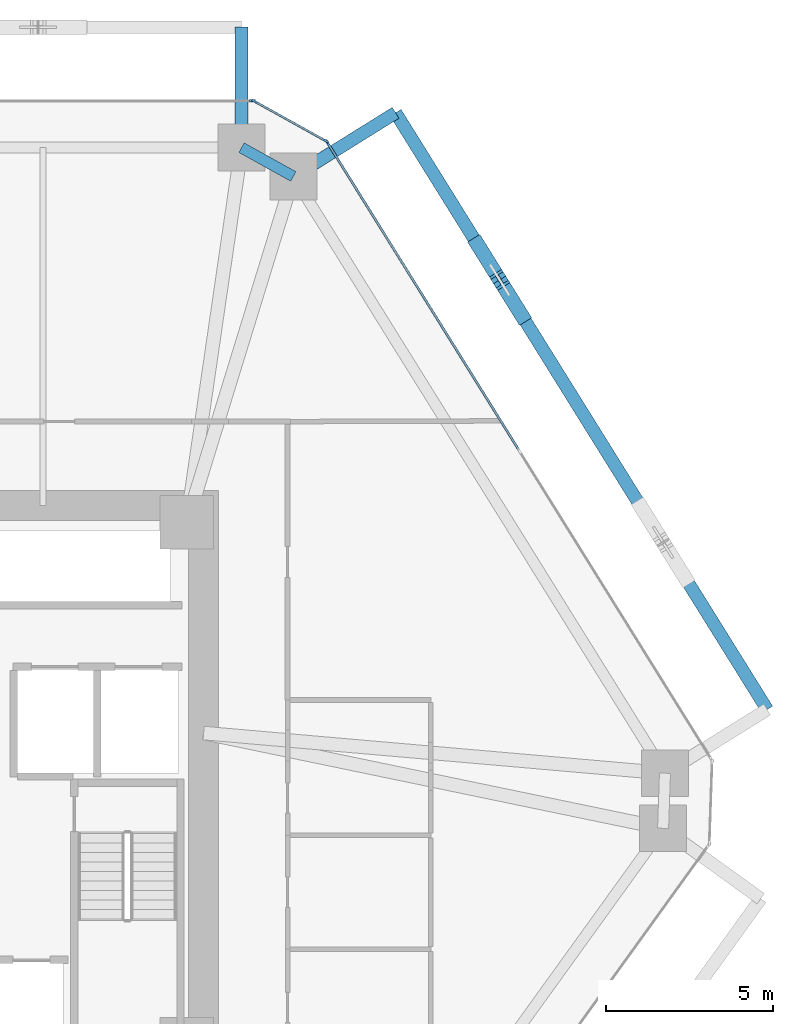
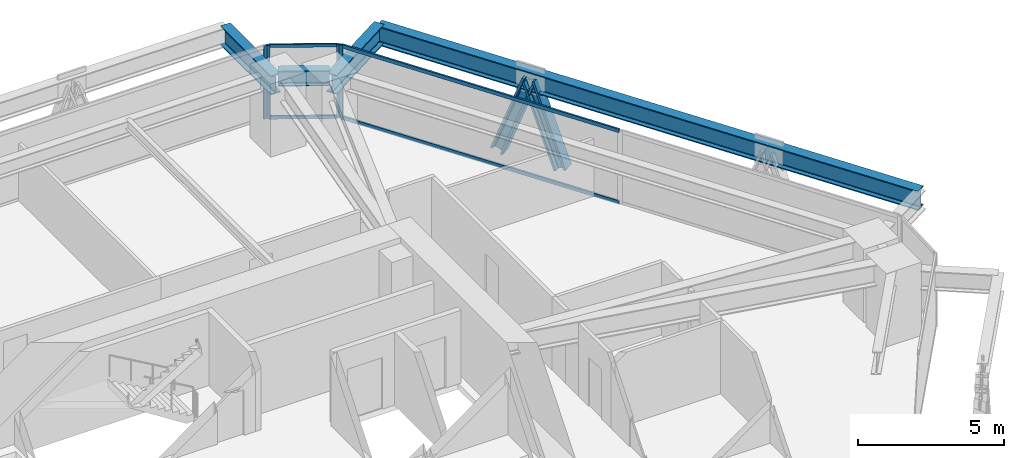
# One storey, part 9 of 17: 10 members, 4 beams, 3 elements without a shape of their own.
"""IFC4 building model written with IfcOpenShell, lengths in metres."""

from ifc_helpers import new_model, si_unit, direction, frame, origin, origin_2d, place, context, subcontext, project, spatial, rectangle, i_section, extrude, source, transform, mapped, material, layer, layer_set, material_profile, profile_set, type_object, type_shapes, element, aggregate, save


model = new_model("IFC4")

# Units and contexts
model_context = context("Model", 3, precision=1e-05, world=origin(), true_north=direction((0.0, 1.0)))
body_context = subcontext(model_context, "Body", "Model", "MODEL_VIEW")
ifc_project = project(units=[si_unit("LENGTHUNIT", "METRE"), si_unit("AREAUNIT", "SQUARE_METRE"), si_unit("VOLUMEUNIT", "CUBIC_METRE"), si_unit("PLANEANGLEUNIT", "RADIAN"), si_unit("MASSUNIT", "GRAM", prefix="KILO")], contexts=[model_context])

# Site, building, storey
site_placement = place(None, origin())
site = spatial("IfcSite", under=ifc_project, at=site_placement, CompositionType="ELEMENT")
building_placement = place(site_placement, origin())
building = spatial("IfcBuilding", under=site, at=building_placement, Name="Durnholm Broadcast Tower", CompositionType="ELEMENT")
storey_placement = place(building_placement, frame((0.0, 0.0, 52.199951171875)))
storey = spatial("IfcBuildingStorey", under=building, at=storey_placement, Name="L12", CompositionType="ELEMENT", Elevation=52.199951171875)

# Beams
ifc_material_1 = material(Name="Steel ASTM A992 Grade 50", Category="steel")
ifc_material_profile_1 = material_profile(ifc_material_1, i_section(OverallWidth=0.3291015625, OverallDepth=0.635009765625, WebThickness=0.017822265625, FlangeThickness=0.031005859375, FilletRadius=0.02783203125, at=origin_2d()), Name="W24X162")
ifc_profile_set_1 = profile_set([ifc_material_profile_1], Name="Steel ASTM A992 Grade 50")
beam_type_1 = type_object("IfcBeamType", Name="STL-SP-W24X162", PredefinedType="SPANDREL", material=ifc_profile_set_1)
shared_shape_1 = source(origin(), body_context, "Body", "SweptSolid", [
    extrude(i_section(OverallWidth=0.3291015625, OverallDepth=0.635009765625, WebThickness=0.017822265625, FlangeThickness=0.031005859375, FilletRadius=0.02783203125, at=origin_2d()), origin(), (0.0, 0.0, 1.0), 1.774658203125),
])
type_shapes(beam_type_1, [shared_shape_1])
beam_1_placement = place(storey_placement, frame((11.43115234375, 19.0, 2.7275390625), z_axis=(0.874248107979, -0.485479397806, 0.0), x_axis=(0.485479397806, 0.874248107979, 0.0)))
element("IfcBeam", 1, at=beam_1_placement, inside=storey, type_object=beam_type_1, Name="L12 perimeter spandrel girder 06", PredefinedType="SPANDREL", context=body_context, shape_type="MappedRepresentation", body=[
    mapped(shared_shape_1, transform((0.0, 0.0, 0.0), x_axis=(1.0, 0.0, 0.0), y_axis=(0.0, 1.0, 0.0), z_axis=(0.0, 0.0, 1.0), scale=1.0)),
])
ifc_material_profile_2 = material_profile(ifc_material_1, i_section(OverallWidth=0.385009765625, OverallDepth=0.802978515625, WebThickness=0.023681640625, FlangeThickness=0.0419921875, FilletRadius=0.032958984375, at=origin_2d()), Name="W30X261")
ifc_profile_set_2 = profile_set([ifc_material_profile_2], Name="Steel ASTM A992 Grade 50")
beam_type_2 = type_object("IfcBeamType", Name="BM-EXO-TIE", PredefinedType="USERDEFINED", material=ifc_profile_set_2)
shared_shape_2 = source(origin(), body_context, "Body", "SweptSolid", [
    extrude(i_section(OverallWidth=0.385009765625, OverallDepth=0.802978515625, WebThickness=0.023681640625, FlangeThickness=0.0419921875, FilletRadius=0.032958984375, at=origin_2d()), origin(), (0.0, 0.0, 1.0), 3.4560546875),
])
for number, where, z_axis, x_axis, name in (
    (2, (13.10498046875, 18.214599609375, 2.30859375), (0.848854443891, 0.528626648105, 0.0), (-0.528626648105, 0.848854443891, 0.0), "L12 exoskeleton stand-off tie bracket F3.2"),
    (3, (11.43115234375, 19.14404296875, 2.30859375), (0.0, 1.0, 0.0), (-1.0, 0.0, 0.0), "L12 exoskeleton stand-off tie bracket F4.1"),
):
    element("IfcBeam", number, at=place(storey_placement, frame(where, z_axis=z_axis, x_axis=x_axis)), inside=storey, type_object=beam_type_2, Name=name, ObjectType="GIRDER", PredefinedType="USERDEFINED", context=body_context, shape_type="MappedRepresentation", body=[
        mapped(shared_shape_2, transform((0.0, 0.0, 0.0), x_axis=(1.0, 0.0, 0.0), y_axis=(0.0, 1.0, 0.0), z_axis=(0.0, 0.0, 1.0), scale=1.0)),
    ])
shared_shape_3 = source(origin(), body_context, "Body", "SweptSolid", [
    extrude(i_section(OverallWidth=0.385009765625, OverallDepth=0.802978515625, WebThickness=0.023681640625, FlangeThickness=0.0419921875, FilletRadius=0.032958984375, at=origin_2d()), origin(), (0.0, 0.0, 1.0), 21.0146484375),
])
type_shapes(beam_type_2, [shared_shape_2, shared_shape_3])
beam_2_placement = place(storey_placement, frame((27.146728515625, 2.20263671875, 2.30859375), z_axis=(-0.528590518575, 0.848876942597, 0.0), x_axis=(-0.848876942597, -0.528590518575, 0.0)))
element("IfcBeam", 4, at=beam_2_placement, inside=storey, type_object=beam_type_2, Name="L12 exoskeleton collector spandrel F3", PredefinedType="SPANDREL", context=body_context, shape_type="MappedRepresentation", body=[
    mapped(shared_shape_3, transform((0.0, 0.0, 0.0), x_axis=(1.0, 0.0, 0.0), y_axis=(0.0, 1.0, 0.0), z_axis=(0.0, 0.0, 1.0), scale=1.0)),
])

# Members
ifc_material_2 = material(Name="Steel ASTM A913 Grade 65", Category="steel")
ifc_material_profile_3 = material_profile(ifc_material_2, i_section(OverallWidth=0.43212890625, OverallDepth=0.497802734375, WebThickness=0.0556640625, FlangeThickness=0.0888671875, FilletRadius=0.030517578125, at=origin_2d()), Name="W14X500")
ifc_profile_set_3 = profile_set([ifc_material_profile_3], Name="Steel ASTM A913 Grade 65")
member_type_1 = type_object("IfcMemberType", Name="STL-DG-W14X500", PredefinedType="BRACE", material=ifc_profile_set_3)
shared_shape_4 = source(origin(), body_context, "Body", "SweptSolid", [
    extrude(i_section(OverallWidth=0.43212890625, OverallDepth=0.497802734375, WebThickness=0.0556640625, FlangeThickness=0.0888671875, FilletRadius=0.030517578125, at=origin_2d()), origin(), (0.0, 0.0, 1.0), 3.523193359375),
])
type_shapes(member_type_1, [shared_shape_4])
for number, where, z_axis, x_axis, name in (
    (5, (19.801025390625, 13.9990234375, -0.991455078125), (-0.185090383068, 0.297281072018, 0.936677913861), (-0.848908635391, -0.528539618911, 0.0), "L12 stand-off diagrid brace F3.D2.1"),
    (6, (18.496826171875, 16.09375, -0.991455078125), (0.185090383068, -0.297281072018, 0.936677913861), (0.848908635391, 0.528539618911, 0.0), "L12 stand-off diagrid brace F3.D2.2"),
):
    element("IfcMember", number, at=place(storey_placement, frame(where, z_axis=z_axis, x_axis=x_axis)), inside=storey, type_object=member_type_1, Name=name, PredefinedType="BRACE", context=body_context, shape_type="MappedRepresentation", body=[
        mapped(shared_shape_4, transform((0.0, 0.0, 0.0), x_axis=(1.0, 0.0, 0.0), y_axis=(0.0, 1.0, 0.0), z_axis=(0.0, 0.0, 1.0), scale=1.0)),
    ])

# Curtain wall, members
ifc_material_3 = material(Name="Aluminium and Solar Control IGU", Category="aluminium")
ifc_layer_1 = layer(ifc_material_3, 0.1650390625)
ifc_layer_set_1 = layer_set([ifc_layer_1], Name="Aluminium and Solar Control IGU")
curtain_wall_type_1 = type_object("IfcCurtainWallType", Name="CW-SYS-5", PredefinedType="NOTDEFINED", material=ifc_layer_set_1)
curtain_wall_1_placement = place(storey_placement, origin())
curtain_wall_1 = element("IfcCurtainWall", 7, at=curtain_wall_1_placement, inside=storey, type_object=curtain_wall_type_1, Name="L12 curtain wall CW-CORNER CW-L12-CRN-05", PredefinedType="NOTDEFINED")
ifc_material_4 = material(Name="Aluminium 6063-T6", Category="aluminium")
ifc_material_profile_4 = material_profile(ifc_material_4, rectangle(XDim=0.06494140625, YDim=0.1650390625, at=origin_2d()), Name="CWM65X165")
ifc_profile_set_4 = profile_set([ifc_material_profile_4], Name="Aluminium 6063-T6")
member_type_2 = type_object("IfcMemberType", Name="CW-SYS-5-MUL", PredefinedType="MULLION", material=ifc_profile_set_4)
shared_shape_5 = source(origin(), body_context, "Body", "SweptSolid", [
    extrude(rectangle(XDim=0.06494140625, YDim=0.1650390625, at=origin_2d()), origin(), (0.0, 0.0, 1.0), 3.06005859375),
])
type_shapes(member_type_2, [shared_shape_5])
member_1_placement = place(storey_placement, frame((11.822265625, 20.38427734375, 0.0), z_axis=(0.0, 0.0, 1.0), x_axis=(0.485483299359, 0.874245941394, 0.0)))
member_1 = element("IfcMember", 8, at=member_1_placement, type_object=member_type_2, Name="CW-CORNER mullion 1", PredefinedType="MULLION", context=body_context, shape_type="MappedRepresentation", body=[
    mapped(shared_shape_5, transform((0.0, 0.0, 0.0), x_axis=(1.0, 0.0, 0.0), y_axis=(0.0, 1.0, 0.0), z_axis=(0.0, 0.0, 1.0), scale=1.0)),
])
member_2_placement = place(storey_placement, frame((13.950927734375, 19.2021484375, 0.0), z_axis=(0.0, 0.0, 1.0), x_axis=(0.485483299359, 0.874245941394, 0.0)))
member_2 = element("IfcMember", 9, at=member_2_placement, type_object=member_type_2, Name="CW-CORNER mullion 2", PredefinedType="MULLION", context=body_context, shape_type="MappedRepresentation", body=[
    mapped(shared_shape_5, transform((0.0, 0.0, 0.0), x_axis=(1.0, 0.0, 0.0), y_axis=(0.0, 1.0, 0.0), z_axis=(0.0, 0.0, 1.0), scale=1.0)),
])
ifc_material_profile_5 = material_profile(ifc_material_4, rectangle(XDim=0.06494140625, YDim=0.1298828125, at=origin_2d()), Name="CWT65X130")
ifc_profile_set_5 = profile_set([ifc_material_profile_5], Name="Aluminium 6063-T6")
member_type_3 = type_object("IfcMemberType", Name="CW-SYS-5-TRN", PredefinedType="USERDEFINED", material=ifc_profile_set_5)
shared_shape_6 = source(origin(), body_context, "Body", "SweptSolid", [
    extrude(rectangle(XDim=0.06494140625, YDim=0.1298828125, at=origin_2d()), origin(), (0.0, 0.0, 1.0), 2.3701171875),
])
type_shapes(member_type_3, [shared_shape_6])
member_3_placement = place(storey_placement, frame((11.8505859375, 20.368408203125, 0.032470703125), z_axis=(0.874244723151, -0.485485493132, 0.0), x_axis=(0.485485493132, 0.874244723151, 0.0)))
member_3 = element("IfcMember", 10, at=member_3_placement, type_object=member_type_3, Name="CW-CORNER transom 1.1", ObjectType="TRANSOM", PredefinedType="USERDEFINED", context=body_context, shape_type="MappedRepresentation", body=[
    mapped(shared_shape_6, transform((0.0, 0.0, 0.0), x_axis=(1.0, 0.0, 0.0), y_axis=(0.0, 1.0, 0.0), z_axis=(0.0, 0.0, 1.0), scale=1.0)),
])
member_4_placement = place(storey_placement, frame((11.8505859375, 20.368408203125, 3.027587890625), z_axis=(0.874244723151, -0.485485493132, 0.0), x_axis=(0.485485493132, 0.874244723151, 0.0)))
member_4 = element("IfcMember", 11, at=member_4_placement, type_object=member_type_3, Name="CW-CORNER transom 1.2", ObjectType="TRANSOM", PredefinedType="USERDEFINED", context=body_context, shape_type="MappedRepresentation", body=[
    mapped(shared_shape_6, transform((0.0, 0.0, 0.0), x_axis=(1.0, 0.0, 0.0), y_axis=(0.0, 1.0, 0.0), z_axis=(0.0, 0.0, 1.0), scale=1.0)),
])
aggregate(curtain_wall_1, [member_1, member_2, member_3, member_4])

# Curtain wall, member
ifc_layer_2 = layer(ifc_material_3, 0.18994140625)
ifc_layer_set_2 = layer_set([ifc_layer_2], Name="Aluminium and Solar Control IGU")
curtain_wall_type_2 = type_object("IfcCurtainWallType", Name="CW-SYS-3", PredefinedType="NOTDEFINED", material=ifc_layer_set_2)
curtain_wall_2_placement = place(storey_placement, origin())
curtain_wall_2 = element("IfcCurtainWall", 12, at=curtain_wall_2_placement, inside=storey, type_object=curtain_wall_type_2, Name="L12 curtain wall CW-Z12-VIS CW-L12-F04", PredefinedType="NOTDEFINED")
ifc_material_profile_6 = material_profile(ifc_material_4, rectangle(XDim=0.070068359375, YDim=0.18994140625, at=origin_2d()), Name="CWM70X190")
ifc_profile_set_6 = profile_set([ifc_material_profile_6], Name="Aluminium 6063-T6")
member_type_4 = type_object("IfcMemberType", Name="CW-SYS-3-MUL", PredefinedType="MULLION", material=ifc_profile_set_6)
shared_shape_7 = source(origin(), body_context, "Body", "SweptSolid", [
    extrude(rectangle(XDim=0.070068359375, YDim=0.18994140625, at=origin_2d()), origin(), (0.0, 0.0, 1.0), 3.06005859375),
])
type_shapes(member_type_4, [shared_shape_7])
member_5_placement = place(storey_placement, frame((11.7587890625, 20.39990234375, 0.0), z_axis=(0.0, 0.0, 1.0), x_axis=(0.0, 1.0, 0.0)))
member_5 = element("IfcMember", 13, at=member_5_placement, type_object=member_type_4, Name="CW-Z12-VIS mullion 3", PredefinedType="MULLION", context=body_context, shape_type="MappedRepresentation", body=[
    mapped(shared_shape_7, transform((0.0, 0.0, 0.0), x_axis=(1.0, 0.0, 0.0), y_axis=(0.0, 1.0, 0.0), z_axis=(0.0, 0.0, 1.0), scale=1.0)),
])
aggregate(curtain_wall_2, [member_5])

# Curtain wall, members
curtain_wall_3_placement = place(storey_placement, origin())
curtain_wall_3 = element("IfcCurtainWall", 14, at=curtain_wall_3_placement, inside=storey, type_object=curtain_wall_type_2, Name="L12 curtain wall CW-Z12-VIS CW-L12-F06", PredefinedType="NOTDEFINED")
member_6_placement = place(storey_placement, frame((13.997802734375, 19.156494140625, 0.0), z_axis=(0.0, 0.0, 1.0), x_axis=(0.848875785503, 0.528592376777, 0.0)))
member_6 = element("IfcMember", 15, at=member_6_placement, type_object=member_type_4, Name="CW-Z12-VIS mullion 1", PredefinedType="MULLION", context=body_context, shape_type="MappedRepresentation", body=[
    mapped(shared_shape_7, transform((0.0, 0.0, 0.0), x_axis=(1.0, 0.0, 0.0), y_axis=(0.0, 1.0, 0.0), z_axis=(0.0, 0.0, 1.0), scale=1.0)),
])
ifc_material_profile_7 = material_profile(ifc_material_4, rectangle(XDim=0.070068359375, YDim=0.14990234375, at=origin_2d()), Name="CWT70X150")
ifc_profile_set_7 = profile_set([ifc_material_profile_7], Name="Aluminium 6063-T6")
member_type_5 = type_object("IfcMemberType", Name="CW-SYS-3-TRN", PredefinedType="USERDEFINED", material=ifc_profile_set_7)
shared_shape_8 = source(origin(), body_context, "Body", "SweptSolid", [
    extrude(rectangle(XDim=0.070068359375, YDim=0.14990234375, at=origin_2d()), origin(), (0.0, 0.0, 1.0), 10.796630859375),
])
type_shapes(member_type_5, [shared_shape_8])
member_7_placement = place(storey_placement, frame((14.016357421875, 19.126953125, 0.03515625), z_axis=(0.528591657678, -0.848876233283, 0.0), x_axis=(0.848876233283, 0.528591657678, 0.0)))
member_7 = element("IfcMember", 16, at=member_7_placement, type_object=member_type_5, Name="CW-Z12-VIS transom 1.1", ObjectType="TRANSOM", PredefinedType="USERDEFINED", context=body_context, shape_type="MappedRepresentation", body=[
    mapped(shared_shape_8, transform((0.0, 0.0, 0.0), x_axis=(1.0, 0.0, 0.0), y_axis=(0.0, 1.0, 0.0), z_axis=(0.0, 0.0, 1.0), scale=1.0)),
])
member_8_placement = place(storey_placement, frame((14.016357421875, 19.126953125, 3.025146484375), z_axis=(0.528591657678, -0.848876233283, 0.0), x_axis=(0.848876233283, 0.528591657678, 0.0)))
member_8 = element("IfcMember", 17, at=member_8_placement, type_object=member_type_5, Name="CW-Z12-VIS transom 1.2", ObjectType="TRANSOM", PredefinedType="USERDEFINED", context=body_context, shape_type="MappedRepresentation", body=[
    mapped(shared_shape_8, transform((0.0, 0.0, 0.0), x_axis=(1.0, 0.0, 0.0), y_axis=(0.0, 1.0, 0.0), z_axis=(0.0, 0.0, 1.0), scale=1.0)),
])
aggregate(curtain_wall_3, [member_6, member_7, member_8])

save(model, "model.ifc")
